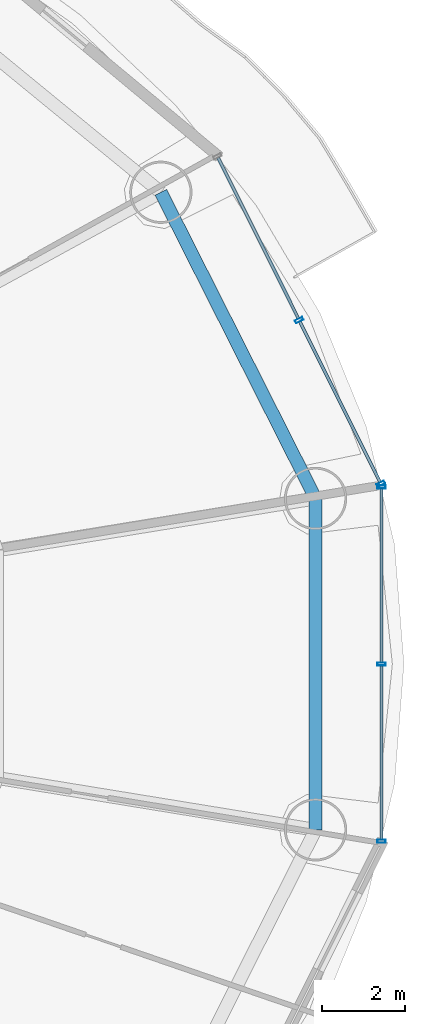
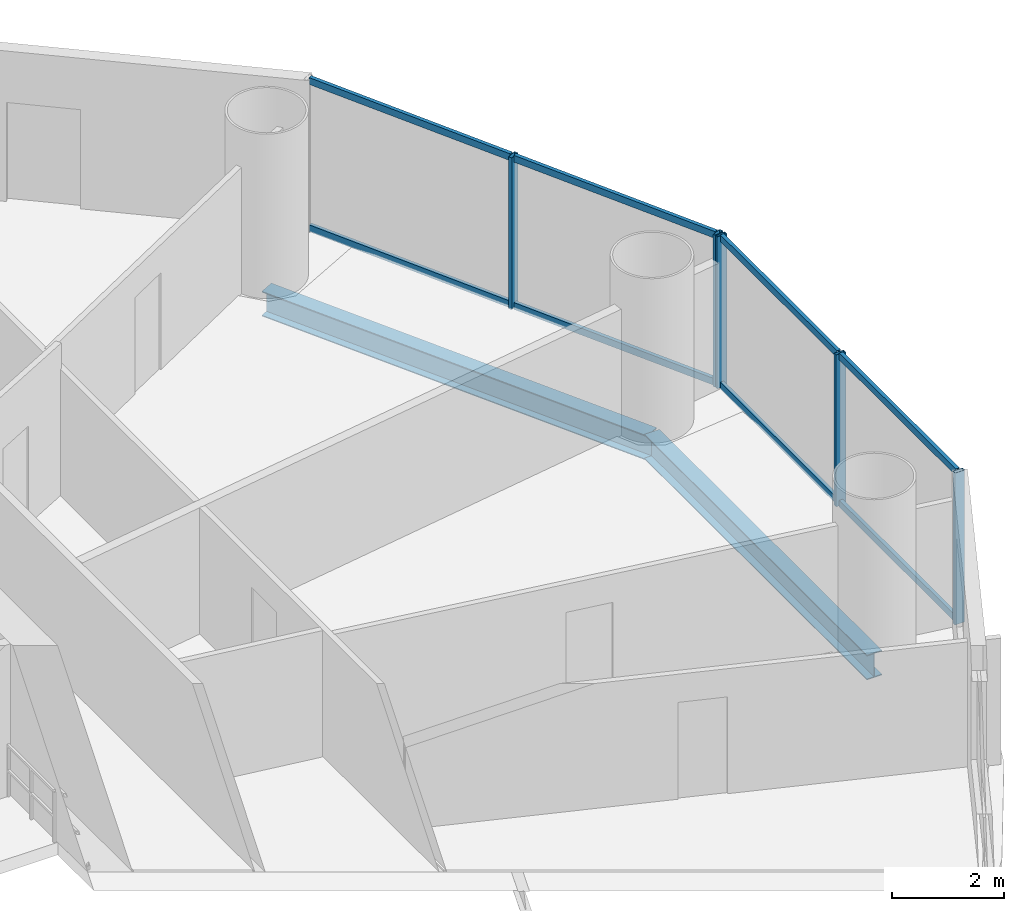
# One storey, part 14 of 28: 13 members, 2 beams, 2 elements without a shape of their own.
"""IFC4 building model written with IfcOpenShell, lengths in metres."""

from ifc_helpers import new_model, si_unit, direction, frame, origin, origin_2d, place, context, subcontext, project, spatial, hollow_rectangle, i_section, extrude, source, transform, mapped, material, material_profile, profile_set, type_object, element, aggregate, save


model = new_model("IFC4")

# Units and contexts
model_context = context("Model", 3, precision=1e-05, world=origin(), true_north=direction((-0.2419218956, 0.970295726276)))
body_context = subcontext(model_context, "Body", "Model", "MODEL_VIEW")
ifc_project = project(units=[si_unit("LENGTHUNIT", "METRE"), si_unit("AREAUNIT", "SQUARE_METRE"), si_unit("VOLUMEUNIT", "CUBIC_METRE"), si_unit("PLANEANGLEUNIT", "RADIAN"), si_unit("MASSUNIT", "GRAM", prefix="KILO")], contexts=[model_context])

# Site, building, storey
site_placement = place(None, origin())
site = spatial("IfcSite", under=ifc_project, at=site_placement, CompositionType="ELEMENT")
building_placement = place(site_placement, origin())
building = spatial("IfcBuilding", under=site, at=building_placement, Name="Cobrevalo Terracotta Tower", CompositionType="ELEMENT")
storey_placement = place(building_placement, frame((0.0, 0.0, 101.39990234375)))
storey = spatial("IfcBuildingStorey", under=building, at=storey_placement, Name="L26", CompositionType="ELEMENT", Elevation=101.39990234375)

# Beams
ifc_material_1 = material(Name="Steel S355", Category="steel")
ifc_material_profile_1 = material_profile(ifc_material_1, i_section(OverallWidth=0.31201171875, OverallDepth=0.54296875, WebThickness=0.0126953125, FlangeThickness=0.020263671875, at=origin_2d()), Name="W 530x150")
ifc_profile_set_1 = profile_set([ifc_material_profile_1], Name="Steel S355")
beam_type = type_object("IfcBeamType", Name="Structural Spandrel W 530x150 (Steel S355)", PredefinedType="SPANDREL", material=ifc_profile_set_1)
beam_1_placement = place(storey_placement, frame((62.470703125, 30.78955078125, -0.54638671875), z_axis=(-0.451051982172, 0.892497680321, 0.0), x_axis=(-0.892497680321, -0.451051982172, 0.0)))
element("IfcBeam", 1, at=beam_1_placement, inside=storey, type_object=beam_type, Name="L26 perimeter ring spandrel 01", PredefinedType="SPANDREL", context=body_context, shape_type="SweptSolid", body=[
    extrude(i_section(OverallWidth=0.31201171875, OverallDepth=0.54296875, WebThickness=0.0126953125, FlangeThickness=0.020263671875, at=origin_2d()), origin(), (0.0, 0.0, 1.0), 8.259765625),
])
beam_2_placement = place(storey_placement, frame((62.470703125, 22.810302734375, -0.54638671875), z_axis=(0.0, 1.0, 0.0), x_axis=(-1.0, 0.0, 0.0)))
element("IfcBeam", 2, at=beam_2_placement, inside=storey, type_object=beam_type, Name="L26 perimeter ring spandrel 16", PredefinedType="SPANDREL", context=body_context, shape_type="SweptSolid", body=[
    extrude(i_section(OverallWidth=0.31201171875, OverallDepth=0.54296875, WebThickness=0.0126953125, FlangeThickness=0.020263671875, at=origin_2d()), origin(), (0.0, 0.0, 1.0), 7.979248046875),
])

# Curtain wall, members
ifc_material_2 = material(Name="Anodized aluminium", Category="aluminium")
curtain_wall_type = type_object("IfcCurtainWallType", Name="Lower-tower unitised acoustic low-E curtain wall CW-U1", PredefinedType="NOTDEFINED", material=ifc_material_2)
curtain_wall_1_placement = place(storey_placement, origin())
curtain_wall_1 = element("IfcCurtainWall", 3, at=curtain_wall_1_placement, inside=storey, type_object=curtain_wall_type, Name="L26 curtain wall CW-L26-S16", PredefinedType="NOTDEFINED")
ifc_material_profile_2 = material_profile(ifc_material_2, hollow_rectangle(XDim=0.074951171875, YDim=0.14990234375, WallThickness=0.00439453125, at=origin_2d()), Name="CWT 75x150")
ifc_profile_set_2 = profile_set([ifc_material_profile_2], Name="Anodized aluminium")
member_type_1 = type_object("IfcMemberType", Name="Tower unitised aluminium transom 75x150", PredefinedType="USERDEFINED", material=ifc_profile_set_2)
shared_shape_1 = source(origin(), body_context, "Body", "SweptSolid", [
    extrude(hollow_rectangle(XDim=0.074951171875, YDim=0.14990234375, WallThickness=0.00439453125, at=origin_2d()), origin(), (0.0, 0.0, 1.0), 4.185546875),
])
member_1_placement = place(storey_placement, frame((64.0595703125, 22.574462890625, 0.050048828125), z_axis=(0.0, 1.0, 0.0), x_axis=(-1.0, 0.0, 0.0)))
member_1 = element("IfcMember", 4, at=member_1_placement, type_object=member_type_1, Name="CW-L26-S16 transom B01-T1", ObjectType="TRANSOM", PredefinedType="USERDEFINED", context=body_context, shape_type="MappedRepresentation", body=[
    mapped(shared_shape_1, transform((0.0, 0.0, 0.0), scale=1.0)),
])
member_2_placement = place(storey_placement, frame((64.0595703125, 22.574462890625, 3.275146484375), z_axis=(0.0, 1.0, 0.0), x_axis=(-1.0, 0.0, 0.0)))
member_2 = element("IfcMember", 5, at=member_2_placement, type_object=member_type_1, Name="CW-L26-S16 transom B01-T2", ObjectType="TRANSOM", PredefinedType="USERDEFINED", context=body_context, shape_type="MappedRepresentation", body=[
    mapped(shared_shape_1, transform((0.0, 0.0, 0.0), scale=1.0)),
])
member_3_placement = place(storey_placement, frame((64.0595703125, 26.840087890625, 0.050048828125), z_axis=(0.0, 1.0, 0.0), x_axis=(-1.0, 0.0, 0.0)))
member_3 = element("IfcMember", 6, at=member_3_placement, type_object=member_type_1, Name="CW-L26-S16 transom B02-T1", ObjectType="TRANSOM", PredefinedType="USERDEFINED", context=body_context, shape_type="MappedRepresentation", body=[
    mapped(shared_shape_1, transform((0.0, 0.0, 0.0), scale=1.0)),
])
member_4_placement = place(storey_placement, frame((64.0595703125, 26.840087890625, 3.275146484375), z_axis=(0.0, 1.0, 0.0), x_axis=(-1.0, 0.0, 0.0)))
member_4 = element("IfcMember", 7, at=member_4_placement, type_object=member_type_1, Name="CW-L26-S16 transom B02-T2", ObjectType="TRANSOM", PredefinedType="USERDEFINED", context=body_context, shape_type="MappedRepresentation", body=[
    mapped(shared_shape_1, transform((0.0, 0.0, 0.0), scale=1.0)),
])

curtain_wall_2_placement = place(storey_placement, origin())
curtain_wall_2 = element("IfcCurtainWall", 8, at=curtain_wall_2_placement, inside=storey, type_object=curtain_wall_type, Name="L26 curtain wall CW-L26-S01", PredefinedType="NOTDEFINED")
shared_shape_2 = source(origin(), body_context, "Body", "SweptSolid", [
    extrude(hollow_rectangle(XDim=0.074951171875, YDim=0.14990234375, WallThickness=0.00439453125, at=origin_2d()), origin(), (0.0, 0.0, 1.0), 4.324951171875),
])
member_5_placement = place(storey_placement, frame((64.023681640625, 31.17724609375, 0.050048828125), z_axis=(-0.446219838389, 0.894923379864, 0.0), x_axis=(-0.894923379864, -0.446219838389, 0.0)))
member_5 = element("IfcMember", 9, at=member_5_placement, type_object=member_type_1, Name="CW-L26-S01 transom B01-T1", ObjectType="TRANSOM", PredefinedType="USERDEFINED", context=body_context, shape_type="MappedRepresentation", body=[
    mapped(shared_shape_2, transform((0.0, 0.0, 0.0), scale=1.0)),
])
member_6_placement = place(storey_placement, frame((64.023681640625, 31.17724609375, 3.275146484375), z_axis=(-0.446219838389, 0.894923379864, 0.0), x_axis=(-0.894923379864, -0.446219838389, 0.0)))
member_6 = element("IfcMember", 10, at=member_6_placement, type_object=member_type_1, Name="CW-L26-S01 transom B01-T2", ObjectType="TRANSOM", PredefinedType="USERDEFINED", context=body_context, shape_type="MappedRepresentation", body=[
    mapped(shared_shape_2, transform((0.0, 0.0, 0.0), scale=1.0)),
])
member_7_placement = place(storey_placement, frame((62.057861328125, 35.119384765625, 0.050048828125), z_axis=(-0.44624238083, 0.894912139571, 0.0), x_axis=(-0.894912139571, -0.44624238083, 0.0)))
member_7 = element("IfcMember", 11, at=member_7_placement, type_object=member_type_1, Name="CW-L26-S01 transom B02-T1", ObjectType="TRANSOM", PredefinedType="USERDEFINED", context=body_context, shape_type="MappedRepresentation", body=[
    mapped(shared_shape_2, transform((0.0, 0.0, 0.0), scale=1.0)),
])
member_8_placement = place(storey_placement, frame((62.057861328125, 35.119384765625, 3.275146484375), z_axis=(-0.44624238083, 0.894912139571, 0.0), x_axis=(-0.894912139571, -0.44624238083, 0.0)))
member_8 = element("IfcMember", 12, at=member_8_placement, type_object=member_type_1, Name="CW-L26-S01 transom B02-T2", ObjectType="TRANSOM", PredefinedType="USERDEFINED", context=body_context, shape_type="MappedRepresentation", body=[
    mapped(shared_shape_2, transform((0.0, 0.0, 0.0), scale=1.0)),
])
ifc_material_profile_3 = material_profile(ifc_material_2, hollow_rectangle(XDim=0.074951171875, YDim=0.199951171875, WallThickness=0.0048828125, at=origin_2d()), Name="CWM 75x200")
ifc_profile_set_3 = profile_set([ifc_material_profile_3], Name="Anodized aluminium")
member_type_2 = type_object("IfcMemberType", Name="Lower/mid tower unitised mullion 75x200", PredefinedType="MULLION", material=ifc_profile_set_3)
shared_shape_3 = source(origin(), body_context, "Body", "SweptSolid", [
    extrude(hollow_rectangle(XDim=0.074951171875, YDim=0.199951171875, WallThickness=0.0048828125, at=origin_2d()), origin(), (0.0, 0.0, 1.0), 3.3251953125),
])
member_9_placement = place(storey_placement, frame((64.04150390625, 31.141357421875, 0.0), z_axis=(0.0, 0.0, 1.0), x_axis=(-0.446260290227, 0.894903208937, 0.0)))
member_9 = element("IfcMember", 13, at=member_9_placement, type_object=member_type_2, Name="CW-L26-S01 vertical mullion 01", PredefinedType="MULLION", context=body_context, shape_type="MappedRepresentation", body=[
    mapped(shared_shape_3, transform((0.0, 0.0, 0.0), scale=1.0)),
])
member_10_placement = place(storey_placement, frame((62.075927734375, 35.08349609375, 0.0), z_axis=(0.0, 0.0, 1.0), x_axis=(-0.446260290227, 0.894903208937, 0.0)))
member_10 = element("IfcMember", 14, at=member_10_placement, type_object=member_type_2, Name="CW-L26-S01 vertical mullion 02", PredefinedType="MULLION", context=body_context, shape_type="MappedRepresentation", body=[
    mapped(shared_shape_3, transform((0.0, 0.0, 0.0), scale=1.0)),
])
aggregate(curtain_wall_2, [member_9, member_10, member_5, member_6, member_7, member_8])

# Member
member_11_placement = place(storey_placement, frame((64.0595703125, 22.534423828125, 0.0), z_axis=(0.0, 0.0, 1.0), x_axis=(0.0, 1.0, 0.0)))
member_11 = element("IfcMember", 15, at=member_11_placement, type_object=member_type_2, Name="CW-L26-S16 vertical mullion 01", PredefinedType="MULLION", context=body_context, shape_type="MappedRepresentation", body=[
    mapped(shared_shape_3, transform((0.0, 0.0, 0.0), scale=1.0)),
])

member_12_placement = place(storey_placement, frame((64.0595703125, 26.800048828125, 0.0), z_axis=(0.0, 0.0, 1.0), x_axis=(0.0, 1.0, 0.0)))
member_12 = element("IfcMember", 16, at=member_12_placement, type_object=member_type_2, Name="CW-L26-S16 vertical mullion 02", PredefinedType="MULLION", context=body_context, shape_type="MappedRepresentation", body=[
    mapped(shared_shape_3, transform((0.0, 0.0, 0.0), scale=1.0)),
])

member_13_placement = place(storey_placement, frame((64.0595703125, 31.065673828125, 0.0), z_axis=(0.0, 0.0, 1.0), x_axis=(0.0, 1.0, 0.0)))
member_13 = element("IfcMember", 17, at=member_13_placement, type_object=member_type_2, Name="CW-L26-S16 vertical mullion 03", PredefinedType="MULLION", context=body_context, shape_type="MappedRepresentation", body=[
    mapped(shared_shape_3, transform((0.0, 0.0, 0.0), scale=1.0)),
])

aggregate(curtain_wall_1, [member_11, member_12, member_13, member_1, member_2, member_3, member_4])

save(model, "model.ifc")
